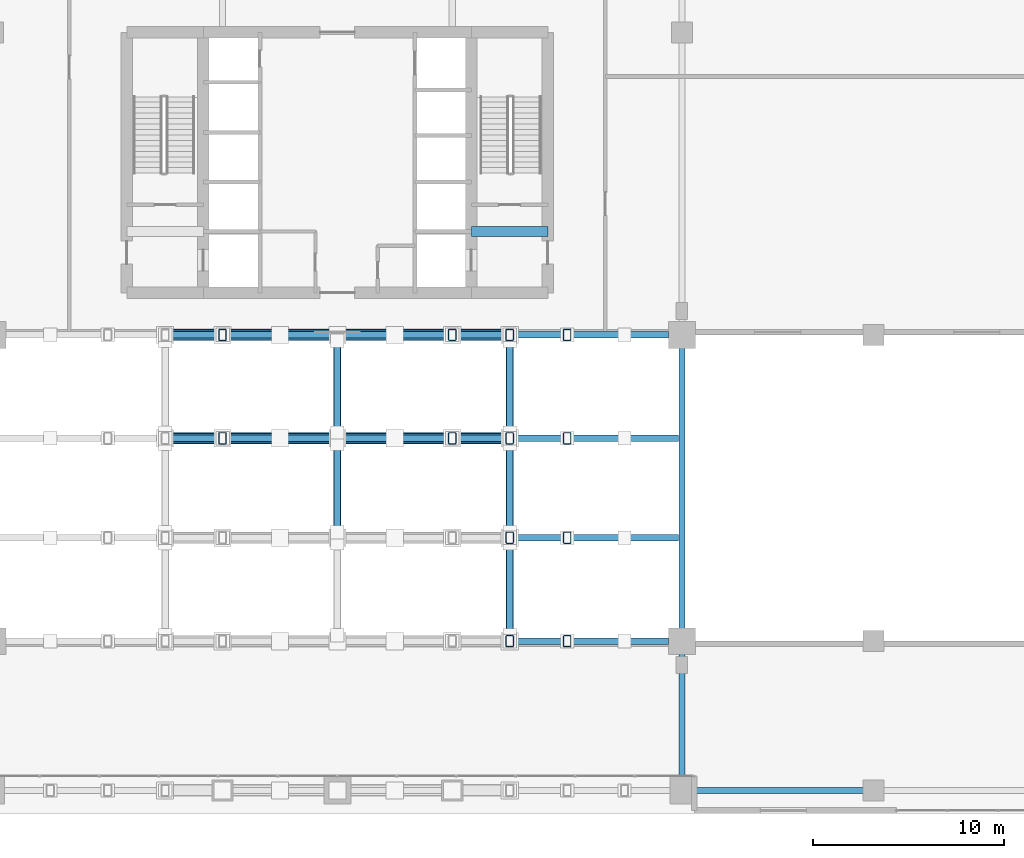
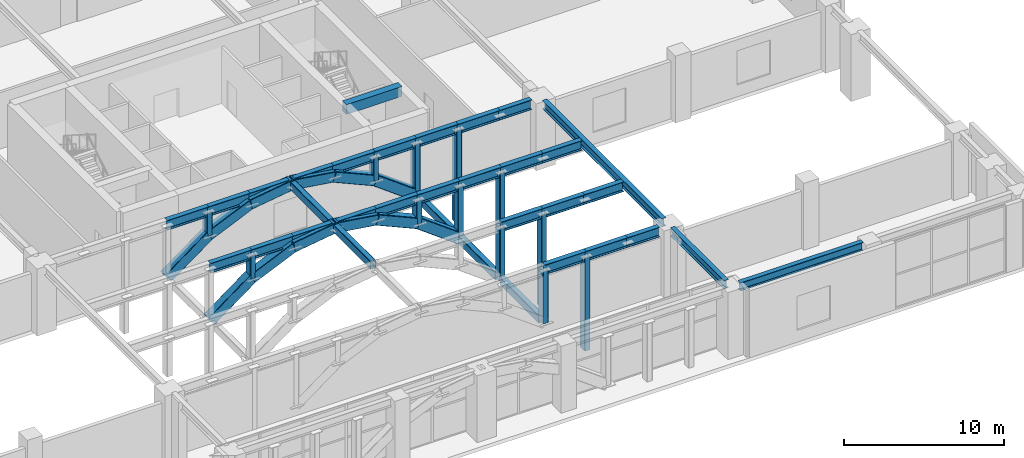
# One storey, part 10 of 32: 29 members, 28 beams.
"""IFC4 building model written with IfcOpenShell, lengths in metres."""

from ifc_helpers import new_model, si_unit, direction, frame, origin, origin_2d, place, context, subcontext, project, spatial, rectangle, hollow_rectangle, i_section, extrude, material, material_profile, profile_set, type_object, element, save


model = new_model("IFC4")

# Units and contexts
model_context = context("Model", 3, precision=1e-05, world=origin(), true_north=direction((0.0, 1.0)))
body_context = subcontext(model_context, "Body", "Model", "MODEL_VIEW")
ifc_project = project(units=[si_unit("LENGTHUNIT", "METRE"), si_unit("AREAUNIT", "SQUARE_METRE"), si_unit("VOLUMEUNIT", "CUBIC_METRE"), si_unit("PLANEANGLEUNIT", "RADIAN"), si_unit("MASSUNIT", "GRAM", prefix="KILO")], contexts=[model_context])

# Site, building, storey
site_placement = place(None, origin())
site = spatial("IfcSite", under=ifc_project, at=site_placement, CompositionType="ELEMENT")
building_placement = place(site_placement, origin())
building = spatial("IfcBuilding", under=site, at=building_placement, Name="Sarneth Arch Tower", CompositionType="ELEMENT")
storey_placement = place(building_placement, frame((0.0, 0.0, 11.39990234375)))
storey = spatial("IfcBuildingStorey", under=building, at=storey_placement, Name="L02", CompositionType="ELEMENT", Elevation=11.39990234375)

# Beams
ifc_material_1 = material(Name="Concrete C50/60", Category="concrete")
ifc_material_profile_1 = material_profile(ifc_material_1, rectangle(XDim=0.5, YDim=0.75, at=origin_2d()), Name="RC-500x750")
ifc_profile_set_1 = profile_set([ifc_material_profile_1], Name="Concrete C50/60")
beam_type_1 = type_object("IfcBeamType", Name="BM-LINTEL-RC", PredefinedType="LINTEL", material=ifc_profile_set_1)
beam_1_placement = place(storey_placement, frame((55.0, 38.39990234375, 4.72509765625), z_axis=(1.0, 0.0, 0.0), x_axis=(0.0, 1.0, 0.0)))
element("IfcBeam", 1, at=beam_1_placement, inside=storey, type_object=beam_type_1, Name="L02 Core coupling lintel E", PredefinedType="LINTEL", context=body_context, shape_type="SweptSolid", body=[
    extrude(rectangle(XDim=0.5, YDim=0.75, at=origin_2d()), origin(), (0.0, 0.0, 1.0), 4.0),
])
ifc_material_2 = material(Name="Steel S355", Category="steel")
ifc_material_profile_2 = material_profile(ifc_material_2, i_section(OverallWidth=0.3291015625, OverallDepth=0.635009765625, WebThickness=0.017822265625, FlangeThickness=0.031005859375, FilletRadius=0.01904296875, at=origin_2d()), Name="W610x241")
ifc_profile_set_2 = profile_set([ifc_material_profile_2], Name="Steel S355")
beam_type_2 = type_object("IfcBeamType", Name="BM-POD-610", PredefinedType="BEAM", material=ifc_profile_set_2)
beam_2_placement = place(storey_placement, frame((66.6044921875, 9.199951171875, 4.78271484375), z_axis=(1.0, 0.0, 0.0), x_axis=(0.0, 1.0, 0.0)))
element("IfcBeam", 2, at=beam_2_placement, inside=storey, type_object=beam_type_2, Name="L02 Podium PS girder 7", PredefinedType="BEAM", context=body_context, shape_type="SweptSolid", body=[
    extrude(i_section(OverallWidth=0.3291015625, OverallDepth=0.635009765625, WebThickness=0.017822265625, FlangeThickness=0.031005859375, FilletRadius=0.01904296875, at=origin_2d()), origin(), (0.0, 0.0, 1.0), 8.87548828125),
])
beam_3_placement = place(storey_placement, frame((66.0, 9.75, 4.78271484375), z_axis=(0.0, 1.0, 0.0), x_axis=(-1.0, 0.0, 0.0)))
element("IfcBeam", 3, at=beam_3_placement, inside=storey, type_object=beam_type_2, Name="L02 Podium N-S girder E66.1", PredefinedType="BEAM", context=body_context, shape_type="SweptSolid", body=[
    extrude(i_section(OverallWidth=0.3291015625, OverallDepth=0.635009765625, WebThickness=0.017822265625, FlangeThickness=0.031005859375, FilletRadius=0.01904296875, at=origin_2d()), origin(), (0.0, 0.0, 1.0), 6.699951171875),
])
beam_4_placement = place(storey_placement, frame((66.0, 17.550048828125, 4.78271484375), z_axis=(0.0, 1.0, 0.0), x_axis=(-1.0, 0.0, 0.0)))
element("IfcBeam", 4, at=beam_4_placement, inside=storey, type_object=beam_type_2, Name="L02 Podium N-S girder E66.2", PredefinedType="BEAM", context=body_context, shape_type="SweptSolid", body=[
    extrude(i_section(OverallWidth=0.3291015625, OverallDepth=0.635009765625, WebThickness=0.017822265625, FlangeThickness=0.031005859375, FilletRadius=0.01904296875, at=origin_2d()), origin(), (0.0, 0.0, 1.0), 14.89990234375),
])
ifc_material_3 = material(Name="Steel S355", Category="steel")
ifc_material_profile_3 = material_profile(ifc_material_3, i_section(OverallWidth=0.35009765625, OverallDepth=0.75, WebThickness=0.01611328125, FlangeThickness=0.028076171875, FilletRadius=0.01806640625, at=origin_2d()), Name="CVS750x268")
ifc_profile_set_3 = profile_set([ifc_material_profile_3], Name="Steel S355")
beam_type_3 = type_object("IfcBeamType", Name="BM-POD-750", PredefinedType="BEAM", material=ifc_profile_set_3)
for number, where, z_axis, x_axis, name in (
    (5, (57.0, 17.0, 4.72509765625), (1.0, 0.0, 0.0), (0.0, 1.0, 0.0), "Podium arch top tie girder 2.10"),
    (6, (60.0, 17.0, 4.72509765625), (1.0, 0.0, 0.0), (0.0, 1.0, 0.0), "Podium arch top tie girder 2.11"),
):
    element("IfcBeam", number, at=place(storey_placement, frame(where, z_axis=z_axis, x_axis=x_axis)), inside=storey, type_object=beam_type_3, Name=name, PredefinedType="BEAM", context=body_context, shape_type="SweptSolid", body=[
        extrude(i_section(OverallWidth=0.35009765625, OverallDepth=0.75, WebThickness=0.01611328125, FlangeThickness=0.028076171875, FilletRadius=0.01806640625, at=origin_2d()), origin(), (0.0, 0.0, 1.0), 3.0),
    ])
beam_5_placement = place(storey_placement, frame((63.0, 17.0, 4.72509765625), z_axis=(1.0, 0.0, 0.0), x_axis=(0.0, 1.0, 0.0)))
element("IfcBeam", 7, at=beam_5_placement, inside=storey, type_object=beam_type_3, Name="Podium arch top tie girder 2.12", PredefinedType="BEAM", context=body_context, shape_type="SweptSolid", body=[
    extrude(i_section(OverallWidth=0.35009765625, OverallDepth=0.75, WebThickness=0.01611328125, FlangeThickness=0.028076171875, FilletRadius=0.01806640625, at=origin_2d()), origin(), (0.0, 0.0, 1.0), 2.300048828125),
])
for number, where, z_axis, x_axis, name in (
    (8, (57.0, 22.39990234375, 4.72509765625), (1.0, 0.0, 0.0), (0.0, 1.0, 0.0), "Podium arch top tie girder 3.10"),
    (9, (60.0, 22.39990234375, 4.72509765625), (1.0, 0.0, 0.0), (0.0, 1.0, 0.0), "Podium arch top tie girder 3.11"),
):
    element("IfcBeam", number, at=place(storey_placement, frame(where, z_axis=z_axis, x_axis=x_axis)), inside=storey, type_object=beam_type_3, Name=name, PredefinedType="BEAM", context=body_context, shape_type="SweptSolid", body=[
        extrude(i_section(OverallWidth=0.35009765625, OverallDepth=0.75, WebThickness=0.01611328125, FlangeThickness=0.028076171875, FilletRadius=0.01806640625, at=origin_2d()), origin(), (0.0, 0.0, 1.0), 3.0),
    ])
beam_6_placement = place(storey_placement, frame((63.0, 22.39990234375, 4.72509765625), z_axis=(1.0, 0.0, 0.0), x_axis=(0.0, 1.0, 0.0)))
element("IfcBeam", 10, at=beam_6_placement, inside=storey, type_object=beam_type_3, Name="Podium arch top tie girder 3.12", PredefinedType="BEAM", context=body_context, shape_type="SweptSolid", body=[
    extrude(i_section(OverallWidth=0.35009765625, OverallDepth=0.75, WebThickness=0.01611328125, FlangeThickness=0.028076171875, FilletRadius=0.01806640625, at=origin_2d()), origin(), (0.0, 0.0, 1.0), 2.820068359375),
])
for number, where, z_axis, x_axis, name in (
    (11, (39.0, 27.60009765625, 4.72509765625), (1.0, 0.0, 0.0), (0.0, 1.0, 0.0), "Podium arch top tie girder 4.4"),
    (12, (42.0, 27.60009765625, 4.72509765625), (1.0, 0.0, 0.0), (0.0, 1.0, 0.0), "Podium arch top tie girder 4.5"),
    (13, (45.0, 27.60009765625, 4.72509765625), (1.0, 0.0, 0.0), (0.0, 1.0, 0.0), "Podium arch top tie girder 4.6"),
    (14, (48.0, 27.60009765625, 4.72509765625), (1.0, 0.0, 0.0), (0.0, 1.0, 0.0), "Podium arch top tie girder 4.7"),
    (15, (51.0, 27.60009765625, 4.72509765625), (1.0, 0.0, 0.0), (0.0, 1.0, 0.0), "Podium arch top tie girder 4.8"),
    (16, (54.0, 27.60009765625, 4.72509765625), (1.0, 0.0, 0.0), (0.0, 1.0, 0.0), "Podium arch top tie girder 4.9"),
    (17, (57.0, 27.60009765625, 4.72509765625), (1.0, 0.0, 0.0), (0.0, 1.0, 0.0), "Podium arch top tie girder 4.10"),
    (18, (60.0, 27.60009765625, 4.72509765625), (1.0, 0.0, 0.0), (0.0, 1.0, 0.0), "Podium arch top tie girder 4.11"),
):
    element("IfcBeam", number, at=place(storey_placement, frame(where, z_axis=z_axis, x_axis=x_axis)), inside=storey, type_object=beam_type_3, Name=name, PredefinedType="BEAM", context=body_context, shape_type="SweptSolid", body=[
        extrude(i_section(OverallWidth=0.35009765625, OverallDepth=0.75, WebThickness=0.01611328125, FlangeThickness=0.028076171875, FilletRadius=0.01806640625, at=origin_2d()), origin(), (0.0, 0.0, 1.0), 3.0),
    ])
beam_7_placement = place(storey_placement, frame((63.0, 27.60009765625, 4.72509765625), z_axis=(1.0, 0.0, 0.0), x_axis=(0.0, 1.0, 0.0)))
element("IfcBeam", 19, at=beam_7_placement, inside=storey, type_object=beam_type_3, Name="Podium arch top tie girder 4.12", PredefinedType="BEAM", context=body_context, shape_type="SweptSolid", body=[
    extrude(i_section(OverallWidth=0.35009765625, OverallDepth=0.75, WebThickness=0.01611328125, FlangeThickness=0.028076171875, FilletRadius=0.01806640625, at=origin_2d()), origin(), (0.0, 0.0, 1.0), 2.820068359375),
])
for number, where, z_axis, x_axis, name in (
    (20, (39.0, 33.0, 4.72509765625), (1.0, 0.0, 0.0), (0.0, 1.0, 0.0), "Podium arch top tie girder 5.4"),
    (21, (42.0, 33.0, 4.72509765625), (1.0, 0.0, 0.0), (0.0, 1.0, 0.0), "Podium arch top tie girder 5.5"),
    (22, (45.0, 33.0, 4.72509765625), (1.0, 0.0, 0.0), (0.0, 1.0, 0.0), "Podium arch top tie girder 5.6"),
    (23, (48.0, 33.0, 4.72509765625), (1.0, 0.0, 0.0), (0.0, 1.0, 0.0), "Podium arch top tie girder 5.7"),
    (24, (51.0, 33.0, 4.72509765625), (1.0, 0.0, 0.0), (0.0, 1.0, 0.0), "Podium arch top tie girder 5.8"),
    (25, (54.0, 33.0, 4.72509765625), (1.0, 0.0, 0.0), (0.0, 1.0, 0.0), "Podium arch top tie girder 5.9"),
    (26, (57.0, 33.0, 4.72509765625), (1.0, 0.0, 0.0), (0.0, 1.0, 0.0), "Podium arch top tie girder 5.10"),
    (27, (60.0, 33.0, 4.72509765625), (1.0, 0.0, 0.0), (0.0, 1.0, 0.0), "Podium arch top tie girder 5.11"),
):
    element("IfcBeam", number, at=place(storey_placement, frame(where, z_axis=z_axis, x_axis=x_axis)), inside=storey, type_object=beam_type_3, Name=name, PredefinedType="BEAM", context=body_context, shape_type="SweptSolid", body=[
        extrude(i_section(OverallWidth=0.35009765625, OverallDepth=0.75, WebThickness=0.01611328125, FlangeThickness=0.028076171875, FilletRadius=0.01806640625, at=origin_2d()), origin(), (0.0, 0.0, 1.0), 3.0),
    ])
beam_8_placement = place(storey_placement, frame((63.0, 33.0, 4.72509765625), z_axis=(1.0, 0.0, 0.0), x_axis=(0.0, 1.0, 0.0)))
element("IfcBeam", 28, at=beam_8_placement, inside=storey, type_object=beam_type_3, Name="Podium arch top tie girder 5.12", PredefinedType="BEAM", context=body_context, shape_type="SweptSolid", body=[
    extrude(i_section(OverallWidth=0.35009765625, OverallDepth=0.75, WebThickness=0.01611328125, FlangeThickness=0.028076171875, FilletRadius=0.01806640625, at=origin_2d()), origin(), (0.0, 0.0, 1.0), 2.300048828125),
])

# Members
ifc_material_4 = material(Name="Steel S355", Category="steel")
ifc_material_profile_4 = material_profile(ifc_material_4, hollow_rectangle(XDim=0.60009765625, YDim=0.800048828125, WallThickness=0.028076171875, InnerFilletRadius=0.0419921875, OuterFilletRadius=0.070068359375, at=origin_2d()), Name="RHS800x600x28")
ifc_profile_set_4 = profile_set([ifc_material_profile_4], Name="Steel S355")
member_type_1 = type_object("IfcMemberType", Name="MEM-ARCH-CHORD", PredefinedType="CHORD", material=ifc_profile_set_4)
member_1_placement = place(storey_placement, frame((39.0, 27.60009765625, 0.7314453125), z_axis=(0.804002053977, 0.0, 0.594626519087), x_axis=(0.0, 1.0, 0.0)))
element("IfcMember", 29, at=member_1_placement, inside=storey, type_object=member_type_1, Name="Podium parabolic arch rib 4 segment 4", PredefinedType="CHORD", context=body_context, shape_type="SweptSolid", body=[
    extrude(hollow_rectangle(XDim=0.60009765625, YDim=0.800048828125, WallThickness=0.028076171875, InnerFilletRadius=0.0419921875, OuterFilletRadius=0.070068359375, at=origin_2d()), origin(), (0.0, 0.0, 1.0), 3.7314453125),
])
member_2_placement = place(storey_placement, frame((42.0, 27.60009765625, 2.9501953125), z_axis=(0.914069035587, 0.0, 0.405558624839), x_axis=(0.0, 1.0, 0.0)))
element("IfcMember", 30, at=member_2_placement, inside=storey, type_object=member_type_1, Name="Podium parabolic arch rib 4 segment 5", PredefinedType="CHORD", context=body_context, shape_type="SweptSolid", body=[
    extrude(hollow_rectangle(XDim=0.60009765625, YDim=0.800048828125, WallThickness=0.028076171875, InnerFilletRadius=0.0419921875, OuterFilletRadius=0.070068359375, at=origin_2d()), origin(), (0.0, 0.0, 1.0), 3.281982421875),
])
for number, where, z_axis, x_axis, name in (
    (31, (45.0, 27.60009765625, 4.28125), (0.98923197117, 0.0, 0.146356097297), (0.0, 1.0, 0.0), "Podium parabolic arch rib 4 segment 6"),
    (32, (48.0, 27.60009765625, 4.72509765625), (0.98923197117, 0.0, -0.146356097297), (0.0, 1.0, 0.0), "Podium parabolic arch rib 4 segment 7"),
):
    element("IfcMember", number, at=place(storey_placement, frame(where, z_axis=z_axis, x_axis=x_axis)), inside=storey, type_object=member_type_1, Name=name, PredefinedType="CHORD", context=body_context, shape_type="SweptSolid", body=[
        extrude(hollow_rectangle(XDim=0.60009765625, YDim=0.800048828125, WallThickness=0.028076171875, InnerFilletRadius=0.0419921875, OuterFilletRadius=0.070068359375, at=origin_2d()), origin(), (0.0, 0.0, 1.0), 3.03271484375),
    ])
member_3_placement = place(storey_placement, frame((51.0, 27.60009765625, 4.28125), z_axis=(0.914069035587, 0.0, -0.405558624839), x_axis=(0.0, 1.0, 0.0)))
element("IfcMember", 33, at=member_3_placement, inside=storey, type_object=member_type_1, Name="Podium parabolic arch rib 4 segment 8", PredefinedType="CHORD", context=body_context, shape_type="SweptSolid", body=[
    extrude(hollow_rectangle(XDim=0.60009765625, YDim=0.800048828125, WallThickness=0.028076171875, InnerFilletRadius=0.0419921875, OuterFilletRadius=0.070068359375, at=origin_2d()), origin(), (0.0, 0.0, 1.0), 3.281982421875),
])
for number, where, z_axis, x_axis, name in (
    (34, (54.0, 27.60009765625, 2.9501953125), (0.804002053977, 0.0, -0.594626519087), (0.0, 1.0, 0.0), "Podium parabolic arch rib 4 segment 9"),
    (35, (39.0, 33.0, 0.7314453125), (0.804002053977, 0.0, 0.594626519087), (0.0, 1.0, 0.0), "Podium parabolic arch rib 5 segment 4"),
):
    element("IfcMember", number, at=place(storey_placement, frame(where, z_axis=z_axis, x_axis=x_axis)), inside=storey, type_object=member_type_1, Name=name, PredefinedType="CHORD", context=body_context, shape_type="SweptSolid", body=[
        extrude(hollow_rectangle(XDim=0.60009765625, YDim=0.800048828125, WallThickness=0.028076171875, InnerFilletRadius=0.0419921875, OuterFilletRadius=0.070068359375, at=origin_2d()), origin(), (0.0, 0.0, 1.0), 3.7314453125),
    ])
member_4_placement = place(storey_placement, frame((42.0, 33.0, 2.9501953125), z_axis=(0.914069035587, 0.0, 0.405558624839), x_axis=(0.0, 1.0, 0.0)))
element("IfcMember", 36, at=member_4_placement, inside=storey, type_object=member_type_1, Name="Podium parabolic arch rib 5 segment 5", PredefinedType="CHORD", context=body_context, shape_type="SweptSolid", body=[
    extrude(hollow_rectangle(XDim=0.60009765625, YDim=0.800048828125, WallThickness=0.028076171875, InnerFilletRadius=0.0419921875, OuterFilletRadius=0.070068359375, at=origin_2d()), origin(), (0.0, 0.0, 1.0), 3.281982421875),
])
for number, where, z_axis, x_axis, name in (
    (37, (45.0, 33.0, 4.28125), (0.98923197117, 0.0, 0.146356097297), (0.0, 1.0, 0.0), "Podium parabolic arch rib 5 segment 6"),
    (38, (48.0, 33.0, 4.72509765625), (0.98923197117, 0.0, -0.146356097297), (0.0, 1.0, 0.0), "Podium parabolic arch rib 5 segment 7"),
):
    element("IfcMember", number, at=place(storey_placement, frame(where, z_axis=z_axis, x_axis=x_axis)), inside=storey, type_object=member_type_1, Name=name, PredefinedType="CHORD", context=body_context, shape_type="SweptSolid", body=[
        extrude(hollow_rectangle(XDim=0.60009765625, YDim=0.800048828125, WallThickness=0.028076171875, InnerFilletRadius=0.0419921875, OuterFilletRadius=0.070068359375, at=origin_2d()), origin(), (0.0, 0.0, 1.0), 3.03271484375),
    ])
member_5_placement = place(storey_placement, frame((51.0, 33.0, 4.28125), z_axis=(0.914069035587, 0.0, -0.405558624839), x_axis=(0.0, 1.0, 0.0)))
element("IfcMember", 39, at=member_5_placement, inside=storey, type_object=member_type_1, Name="Podium parabolic arch rib 5 segment 8", PredefinedType="CHORD", context=body_context, shape_type="SweptSolid", body=[
    extrude(hollow_rectangle(XDim=0.60009765625, YDim=0.800048828125, WallThickness=0.028076171875, InnerFilletRadius=0.0419921875, OuterFilletRadius=0.070068359375, at=origin_2d()), origin(), (0.0, 0.0, 1.0), 3.281982421875),
])
member_6_placement = place(storey_placement, frame((54.0, 33.0, 2.9501953125), z_axis=(0.804002053977, 0.0, -0.594626519087), x_axis=(0.0, 1.0, 0.0)))
element("IfcMember", 40, at=member_6_placement, inside=storey, type_object=member_type_1, Name="Podium parabolic arch rib 5 segment 9", PredefinedType="CHORD", context=body_context, shape_type="SweptSolid", body=[
    extrude(hollow_rectangle(XDim=0.60009765625, YDim=0.800048828125, WallThickness=0.028076171875, InnerFilletRadius=0.0419921875, OuterFilletRadius=0.070068359375, at=origin_2d()), origin(), (0.0, 0.0, 1.0), 3.7314453125),
])
ifc_material_5 = material(Name="Steel S355", Category="steel")
ifc_material_profile_5 = material_profile(ifc_material_5, hollow_rectangle(XDim=0.39990234375, YDim=0.60009765625, WallThickness=0.02197265625, InnerFilletRadius=0.032958984375, OuterFilletRadius=0.054931640625, at=origin_2d()), Name="RHS600x400x22")
ifc_profile_set_5 = profile_set([ifc_material_profile_5], Name="Steel S355")
member_type_2 = type_object("IfcMemberType", Name="MEM-ARCH-WEB", PredefinedType="BRACE", material=ifc_profile_set_5)
member_7_placement = place(storey_placement, frame((57.0, 17.0, 0.7314453125), z_axis=(0.0, 0.0, 1.0), x_axis=(1.0, 0.0, 0.0)))
element("IfcMember", 41, at=member_7_placement, inside=storey, type_object=member_type_2, Name="Podium arch spandrel post 2.9", PredefinedType="BRACE", context=body_context, shape_type="SweptSolid", body=[
    extrude(hollow_rectangle(XDim=0.39990234375, YDim=0.60009765625, WallThickness=0.02197265625, InnerFilletRadius=0.032958984375, OuterFilletRadius=0.054931640625, at=origin_2d()), origin(), (0.0, 0.0, 1.0), 3.99365234375),
])
member_8_placement = place(storey_placement, frame((60.0, 17.0, -2.375), z_axis=(0.0, 0.0, 1.0), x_axis=(1.0, 0.0, 0.0)))
element("IfcMember", 42, at=member_8_placement, inside=storey, type_object=member_type_2, Name="Podium arch spandrel post 2.10", PredefinedType="BRACE", context=body_context, shape_type="SweptSolid", body=[
    extrude(hollow_rectangle(XDim=0.39990234375, YDim=0.60009765625, WallThickness=0.02197265625, InnerFilletRadius=0.032958984375, OuterFilletRadius=0.054931640625, at=origin_2d()), origin(), (0.0, 0.0, 1.0), 7.10009765625),
])
member_9_placement = place(storey_placement, frame((57.0, 22.39990234375, 0.7314453125), z_axis=(0.0, 0.0, 1.0), x_axis=(1.0, 0.0, 0.0)))
element("IfcMember", 43, at=member_9_placement, inside=storey, type_object=member_type_2, Name="Podium arch spandrel post 3.9", PredefinedType="BRACE", context=body_context, shape_type="SweptSolid", body=[
    extrude(hollow_rectangle(XDim=0.39990234375, YDim=0.60009765625, WallThickness=0.02197265625, InnerFilletRadius=0.032958984375, OuterFilletRadius=0.054931640625, at=origin_2d()), origin(), (0.0, 0.0, 1.0), 3.99365234375),
])
member_10_placement = place(storey_placement, frame((60.0, 22.39990234375, -2.375), z_axis=(0.0, 0.0, 1.0), x_axis=(1.0, 0.0, 0.0)))
element("IfcMember", 44, at=member_10_placement, inside=storey, type_object=member_type_2, Name="Podium arch spandrel post 3.10", PredefinedType="BRACE", context=body_context, shape_type="SweptSolid", body=[
    extrude(hollow_rectangle(XDim=0.39990234375, YDim=0.60009765625, WallThickness=0.02197265625, InnerFilletRadius=0.032958984375, OuterFilletRadius=0.054931640625, at=origin_2d()), origin(), (0.0, 0.0, 1.0), 7.10009765625),
])
for number, where, z_axis, x_axis, name in (
    (45, (42.0, 27.60009765625, 2.9501953125), (0.0, 0.0, 1.0), (1.0, 0.0, 0.0), "Podium arch spandrel post 4.4"),
    (46, (54.0, 27.60009765625, 2.9501953125), (0.0, 0.0, 1.0), (1.0, 0.0, 0.0), "Podium arch spandrel post 4.8"),
):
    element("IfcMember", number, at=place(storey_placement, frame(where, z_axis=z_axis, x_axis=x_axis)), inside=storey, type_object=member_type_2, Name=name, PredefinedType="BRACE", context=body_context, shape_type="SweptSolid", body=[
        extrude(hollow_rectangle(XDim=0.39990234375, YDim=0.60009765625, WallThickness=0.02197265625, InnerFilletRadius=0.032958984375, OuterFilletRadius=0.054931640625, at=origin_2d()), origin(), (0.0, 0.0, 1.0), 1.77490234375),
    ])
member_11_placement = place(storey_placement, frame((57.0, 27.60009765625, 0.7314453125), z_axis=(0.0, 0.0, 1.0), x_axis=(1.0, 0.0, 0.0)))
element("IfcMember", 47, at=member_11_placement, inside=storey, type_object=member_type_2, Name="Podium arch spandrel post 4.9", PredefinedType="BRACE", context=body_context, shape_type="SweptSolid", body=[
    extrude(hollow_rectangle(XDim=0.39990234375, YDim=0.60009765625, WallThickness=0.02197265625, InnerFilletRadius=0.032958984375, OuterFilletRadius=0.054931640625, at=origin_2d()), origin(), (0.0, 0.0, 1.0), 3.99365234375),
])
member_12_placement = place(storey_placement, frame((60.0, 27.60009765625, -2.375), z_axis=(0.0, 0.0, 1.0), x_axis=(1.0, 0.0, 0.0)))
element("IfcMember", 48, at=member_12_placement, inside=storey, type_object=member_type_2, Name="Podium arch spandrel post 4.10", PredefinedType="BRACE", context=body_context, shape_type="SweptSolid", body=[
    extrude(hollow_rectangle(XDim=0.39990234375, YDim=0.60009765625, WallThickness=0.02197265625, InnerFilletRadius=0.032958984375, OuterFilletRadius=0.054931640625, at=origin_2d()), origin(), (0.0, 0.0, 1.0), 7.10009765625),
])
for number, where, z_axis, x_axis, name in (
    (49, (42.0, 33.0, 2.9501953125), (0.0, 0.0, 1.0), (1.0, 0.0, 0.0), "Podium arch spandrel post 5.4"),
    (50, (54.0, 33.0, 2.9501953125), (0.0, 0.0, 1.0), (1.0, 0.0, 0.0), "Podium arch spandrel post 5.8"),
):
    element("IfcMember", number, at=place(storey_placement, frame(where, z_axis=z_axis, x_axis=x_axis)), inside=storey, type_object=member_type_2, Name=name, PredefinedType="BRACE", context=body_context, shape_type="SweptSolid", body=[
        extrude(hollow_rectangle(XDim=0.39990234375, YDim=0.60009765625, WallThickness=0.02197265625, InnerFilletRadius=0.032958984375, OuterFilletRadius=0.054931640625, at=origin_2d()), origin(), (0.0, 0.0, 1.0), 1.77490234375),
    ])
member_13_placement = place(storey_placement, frame((57.0, 33.0, 0.7314453125), z_axis=(0.0, 0.0, 1.0), x_axis=(1.0, 0.0, 0.0)))
element("IfcMember", 51, at=member_13_placement, inside=storey, type_object=member_type_2, Name="Podium arch spandrel post 5.9", PredefinedType="BRACE", context=body_context, shape_type="SweptSolid", body=[
    extrude(hollow_rectangle(XDim=0.39990234375, YDim=0.60009765625, WallThickness=0.02197265625, InnerFilletRadius=0.032958984375, OuterFilletRadius=0.054931640625, at=origin_2d()), origin(), (0.0, 0.0, 1.0), 3.99365234375),
])
member_14_placement = place(storey_placement, frame((60.0, 33.0, -2.375), z_axis=(0.0, 0.0, 1.0), x_axis=(1.0, 0.0, 0.0)))
element("IfcMember", 52, at=member_14_placement, inside=storey, type_object=member_type_2, Name="Podium arch spandrel post 5.10", PredefinedType="BRACE", context=body_context, shape_type="SweptSolid", body=[
    extrude(hollow_rectangle(XDim=0.39990234375, YDim=0.60009765625, WallThickness=0.02197265625, InnerFilletRadius=0.032958984375, OuterFilletRadius=0.054931640625, at=origin_2d()), origin(), (0.0, 0.0, 1.0), 7.10009765625),
])
member_15_placement = place(storey_placement, frame((48.0, 22.699951171875, 4.72509765625), z_axis=(0.0, 1.0, 0.0), x_axis=(-1.0, 0.0, 0.0)))
element("IfcMember", 53, at=member_15_placement, inside=storey, type_object=member_type_2, Name="Podium arch lateral tie 6.22", PredefinedType="BRACE", context=body_context, shape_type="SweptSolid", body=[
    extrude(hollow_rectangle(XDim=0.39990234375, YDim=0.60009765625, WallThickness=0.02197265625, InnerFilletRadius=0.032958984375, OuterFilletRadius=0.054931640625, at=origin_2d()), origin(), (0.0, 0.0, 1.0), 4.60009765625),
])
for number, where, z_axis, x_axis, name in (
    (54, (48.0, 27.89990234375, 4.72509765625), (0.0, 1.0, 0.0), (-1.0, 0.0, 0.0), "Podium arch lateral tie 6.27"),
    (55, (57.0, 17.300048828125, 0.7314453125), (0.0, 1.0, 0.0), (-1.0, 0.0, 0.0), "Podium arch lateral tie 9.17"),
):
    element("IfcMember", number, at=place(storey_placement, frame(where, z_axis=z_axis, x_axis=x_axis)), inside=storey, type_object=member_type_2, Name=name, PredefinedType="BRACE", context=body_context, shape_type="SweptSolid", body=[
        extrude(hollow_rectangle(XDim=0.39990234375, YDim=0.60009765625, WallThickness=0.02197265625, InnerFilletRadius=0.032958984375, OuterFilletRadius=0.054931640625, at=origin_2d()), origin(), (0.0, 0.0, 1.0), 4.800048828125),
    ])
member_16_placement = place(storey_placement, frame((57.0, 22.699951171875, 0.7314453125), z_axis=(0.0, 1.0, 0.0), x_axis=(-1.0, 0.0, 0.0)))
element("IfcMember", 56, at=member_16_placement, inside=storey, type_object=member_type_2, Name="Podium arch lateral tie 9.22", PredefinedType="BRACE", context=body_context, shape_type="SweptSolid", body=[
    extrude(hollow_rectangle(XDim=0.39990234375, YDim=0.60009765625, WallThickness=0.02197265625, InnerFilletRadius=0.032958984375, OuterFilletRadius=0.054931640625, at=origin_2d()), origin(), (0.0, 0.0, 1.0), 4.60009765625),
])
member_17_placement = place(storey_placement, frame((57.0, 27.89990234375, 0.7314453125), z_axis=(0.0, 1.0, 0.0), x_axis=(-1.0, 0.0, 0.0)))
element("IfcMember", 57, at=member_17_placement, inside=storey, type_object=member_type_2, Name="Podium arch lateral tie 9.27", PredefinedType="BRACE", context=body_context, shape_type="SweptSolid", body=[
    extrude(hollow_rectangle(XDim=0.39990234375, YDim=0.60009765625, WallThickness=0.02197265625, InnerFilletRadius=0.032958984375, OuterFilletRadius=0.054931640625, at=origin_2d()), origin(), (0.0, 0.0, 1.0), 4.800048828125),
])

save(model, "model.ifc")
